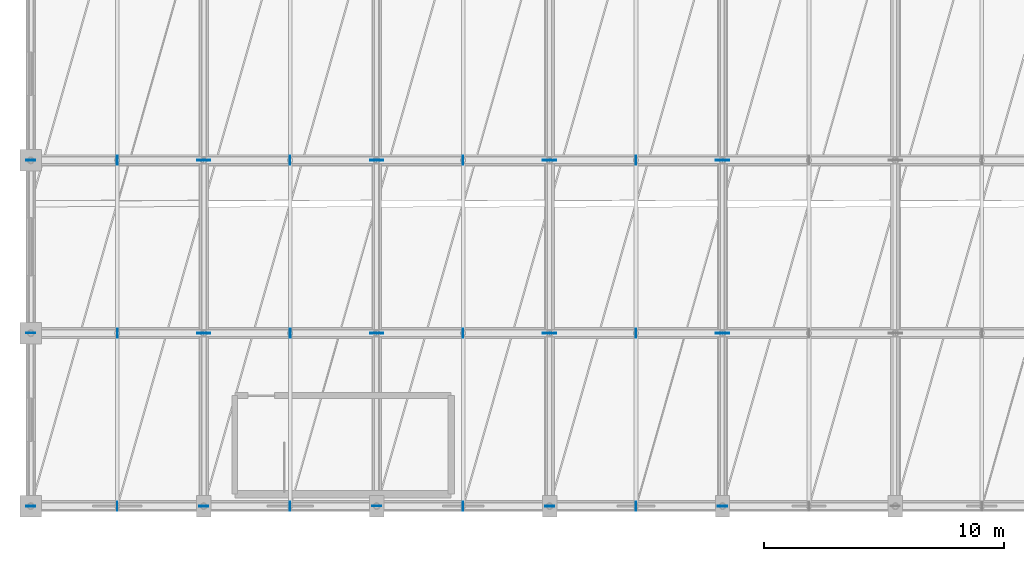
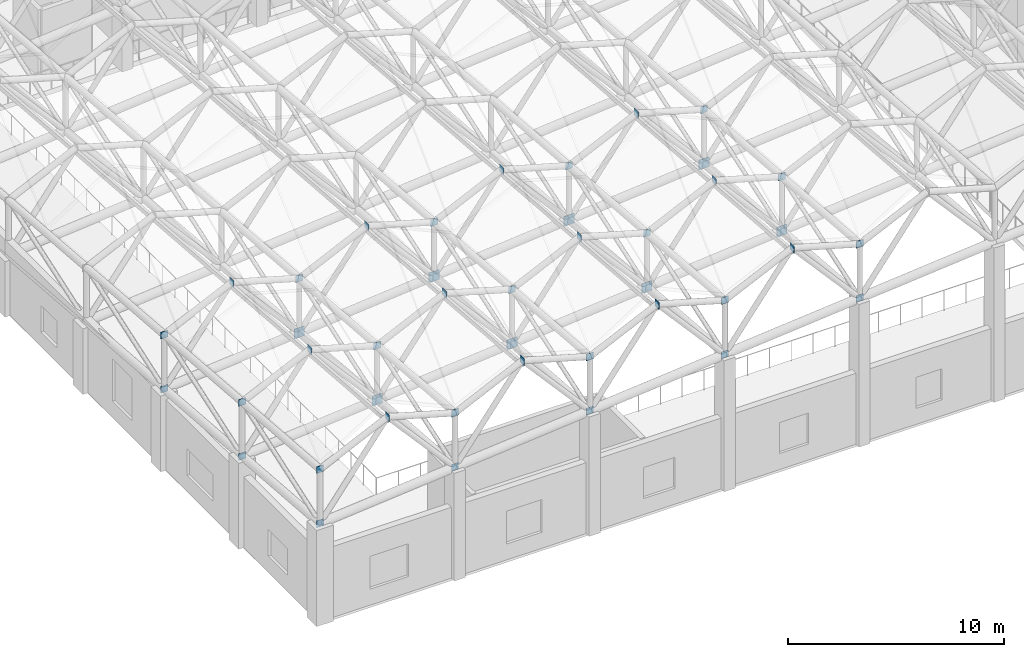
# One storey, part 78 of 113: 42 plates.
"""IFC4 building model written with IfcOpenShell, lengths in metres."""

from ifc_helpers import new_model, si_unit, direction, frame, origin, origin_2d, place, context, subcontext, project, spatial, rectangle, extrude, material, layer, layer_set, type_object, element, save


model = new_model("IFC4")

# Units and contexts
model_context = context("Model", 3, precision=1e-05, world=origin(), true_north=direction((0.0, 1.0)))
body_context = subcontext(model_context, "Body", "Model", "MODEL_VIEW")
ifc_project = project(units=[si_unit("LENGTHUNIT", "METRE"), si_unit("AREAUNIT", "SQUARE_METRE"), si_unit("VOLUMEUNIT", "CUBIC_METRE"), si_unit("PLANEANGLEUNIT", "RADIAN"), si_unit("MASSUNIT", "GRAM", prefix="KILO")], contexts=[model_context])

# Site, building, storey
site_placement = place(None, origin())
site = spatial("IfcSite", under=ifc_project, at=site_placement, CompositionType="ELEMENT")
building_placement = place(site_placement, origin())
building = spatial("IfcBuilding", under=site, at=building_placement, Name="Carrowvane Square Congress Hotel", CompositionType="ELEMENT")
storey_placement = place(building_placement, frame((0.0, 0.0, 15.0)))
storey = spatial("IfcBuildingStorey", under=building, at=storey_placement, Name="L03", CompositionType="ELEMENT", Elevation=15.0)

# Plates
ifc_material_1 = material(Name="Steel S355", Category="steel")
ifc_layer_1 = layer(ifc_material_1, 0.02001953125)
ifc_layer_set_1 = layer_set([ifc_layer_1], Name="Steel S355")
plate_type_1 = type_object("IfcPlateType", Name="PLT-GUS-20", PredefinedType="SHEET", material=ifc_layer_set_1)
for number, where, z_axis, x_axis, name in (
    (1, (11.60009765625, 12.60009765625, 4.65869140625), (0.0, 0.0, 1.0), (1.0, 0.0, 0.0), "L03 brace connection end plate 3"),
    (2, (18.800048828125, 5.39990234375, 5.88720703125), (0.0, 0.0, 1.0), (1.0, 0.0, 0.0), "L03 brace connection end plate 15"),
    (3, (26.0, 12.60009765625, 9.02294921875), (0.0, 0.0, 1.0), (1.0, 0.0, 0.0), "L03 brace connection end plate 24"),
    (4, (33.199951171875, 19.800048828125, 9.108642578125), (0.0, 0.0, 1.0), (1.0, 0.0, 0.0), "L03 brace connection end plate 33"),
    (5, (40.39990234375, 5.39990234375, 7.858642578125), (0.0, 0.0, 1.0), (1.0, 0.0, 0.0), "L03 brace connection end plate 39"),
):
    element("IfcPlate", number, at=place(storey_placement, frame(where, z_axis=z_axis, x_axis=x_axis)), inside=storey, type_object=plate_type_1, Name=name, PredefinedType="SHEET", context=body_context, shape_type="SweptSolid", body=[
        extrude(rectangle(XDim=0.3798828125, YDim=0.02001953125, at=origin_2d()), origin(), (0.0, 0.0, 1.0), 0.3798828125),
    ])
for number, where, z_axis, x_axis, name in (
    (6, (22.39990234375, 5.39990234375, 10.625732421875), (0.0, 0.0, 1.0), (1.0, 0.0, 0.0), "L03 brace connection end plate 78"),
    (7, (15.199951171875, 12.60009765625, 9.397216796875), (0.0, 0.0, 1.0), (1.0, 0.0, 0.0), "L03 brace connection end plate 84"),
    (8, (36.800048828125, 12.60009765625, 11.36865234375), (0.0, 0.0, 1.0), (1.0, 0.0, 0.0), "L03 brace connection end plate 87"),
    (9, (29.60009765625, 19.800048828125, 10.14013671875), (0.0, 0.0, 1.0), (1.0, 0.0, 0.0), "L03 brace connection end plate 93"),
):
    element("IfcPlate", number, at=place(storey_placement, frame(where, z_axis=z_axis, x_axis=x_axis)), inside=storey, type_object=plate_type_1, Name=name, PredefinedType="SHEET", context=body_context, shape_type="SweptSolid", body=[
        extrude(rectangle(XDim=0.02001953125, YDim=0.3798828125, at=origin_2d()), origin(), (0.0, 0.0, 1.0), 0.3798828125),
    ])
for number, where, z_axis, x_axis, name in (
    (10, (11.60009765625, 5.39990234375, 8.280029296875), (0.0, 0.0, 1.0), (1.0, 0.0, 0.0), "L03 brace connection end plate 141"),
    (11, (33.199951171875, 5.39990234375, 10.25146484375), (0.0, 0.0, 1.0), (1.0, 0.0, 0.0), "L03 brace connection end plate 144"),
):
    element("IfcPlate", number, at=place(storey_placement, frame(where, z_axis=z_axis, x_axis=x_axis)), inside=storey, type_object=plate_type_1, Name=name, PredefinedType="SHEET", context=body_context, shape_type="SweptSolid", body=[
        extrude(rectangle(XDim=0.3798828125, YDim=0.02001953125, at=origin_2d()), origin(), (0.0, 0.0, 1.0), 0.3798828125),
    ])
ifc_material_2 = material(Name="Steel S355", Category="steel")
ifc_layer_2 = layer(ifc_material_2, 0.030029296875)
ifc_layer_set_2 = layer_set([ifc_layer_2], Name="Steel S355")
plate_type_2 = type_object("IfcPlateType", Name="PLT-GUS-30", PredefinedType="USERDEFINED", material=ifc_layer_set_2)
for number, where, z_axis, x_axis, name in (
    (12, (18.800048828125, 12.60009765625, 5.23046875), (0.0, 0.0, 1.0), (1.0, 0.0, 0.0), "Space-frame truss node gusset SN-01"),
    (13, (26.0, 12.60009765625, 5.8876953125), (0.0, 0.0, 1.0), (1.0, 0.0, 0.0), "Space-frame truss node gusset SN-07"),
    (14, (33.199951171875, 12.60009765625, 6.544921875), (0.0, 0.0, 1.0), (1.0, 0.0, 0.0), "Space-frame truss node gusset SN-13"),
    (15, (40.39990234375, 12.60009765625, 7.2021484375), (0.0, 0.0, 1.0), (1.0, 0.0, 0.0), "Space-frame truss node gusset SN-19"),
):
    element("IfcPlate", number, at=place(storey_placement, frame(where, z_axis=z_axis, x_axis=x_axis)), inside=storey, type_object=plate_type_2, Name=name, ObjectType="GUSSET PLATE", PredefinedType="USERDEFINED", context=body_context, shape_type="SweptSolid", body=[
        extrude(rectangle(XDim=0.550048828125, YDim=0.030029296875, at=origin_2d()), origin(), (0.0, 0.0, 1.0), 0.550048828125),
    ])
for number, where, z_axis, x_axis, name in (
    (16, (11.60009765625, 5.39990234375, 5.22998046875), (0.0, 0.0, 1.0), (1.0, 0.0, 0.0), "L03 brace connection end plate 1"),
    (17, (11.60009765625, 19.800048828125, 7.13720703125), (0.0, 0.0, 1.0), (1.0, 0.0, 0.0), "L03 brace connection end plate 4"),
    (18, (18.800048828125, 12.60009765625, 8.36572265625), (0.0, 0.0, 1.0), (1.0, 0.0, 0.0), "L03 brace connection end plate 16"),
    (19, (26.0, 19.800048828125, 8.451416015625), (0.0, 0.0, 1.0), (1.0, 0.0, 0.0), "L03 brace connection end plate 25"),
    (20, (33.199951171875, 5.39990234375, 7.201416015625), (0.0, 0.0, 1.0), (1.0, 0.0, 0.0), "L03 brace connection end plate 31"),
    (21, (40.39990234375, 12.60009765625, 10.337158203125), (0.0, 0.0, 1.0), (1.0, 0.0, 0.0), "L03 brace connection end plate 40"),
):
    element("IfcPlate", number, at=place(storey_placement, frame(where, z_axis=z_axis, x_axis=x_axis)), inside=storey, type_object=plate_type_2, Name=name, ObjectType="GUSSET PLATE", PredefinedType="USERDEFINED", context=body_context, shape_type="SweptSolid", body=[
        extrude(rectangle(XDim=0.3798828125, YDim=0.030029296875, at=origin_2d()), origin(), (0.0, 0.0, 1.0), 0.3798828125),
    ])
for number, where, z_axis, x_axis, name in (
    (22, (29.60009765625, 5.39990234375, 11.282958984375), (0.0, 0.0, 1.0), (1.0, 0.0, 0.0), "L03 brace connection end plate 79"),
    (23, (22.39990234375, 12.60009765625, 10.054443359375), (0.0, 0.0, 1.0), (1.0, 0.0, 0.0), "L03 brace connection end plate 85"),
    (24, (15.199951171875, 19.800048828125, 8.82568359375), (0.0, 0.0, 1.0), (1.0, 0.0, 0.0), "L03 brace connection end plate 91"),
    (25, (36.800048828125, 19.800048828125, 10.797119140625), (0.0, 0.0, 1.0), (1.0, 0.0, 0.0), "L03 brace connection end plate 94"),
):
    element("IfcPlate", number, at=place(storey_placement, frame(where, z_axis=z_axis, x_axis=x_axis)), inside=storey, type_object=plate_type_2, Name=name, ObjectType="GUSSET PLATE", PredefinedType="USERDEFINED", context=body_context, shape_type="SweptSolid", body=[
        extrude(rectangle(XDim=0.030029296875, YDim=0.3798828125, at=origin_2d()), origin(), (0.0, 0.0, 1.0), 0.3798828125),
    ])
for number, where, z_axis, x_axis, name in (
    (26, (18.800048828125, 5.39990234375, 8.937255859375), (0.0, 0.0, 1.0), (1.0, 0.0, 0.0), "L03 brace connection end plate 142"),
    (27, (40.39990234375, 5.39990234375, 10.90869140625), (0.0, 0.0, 1.0), (1.0, 0.0, 0.0), "L03 brace connection end plate 145"),
):
    element("IfcPlate", number, at=place(storey_placement, frame(where, z_axis=z_axis, x_axis=x_axis)), inside=storey, type_object=plate_type_2, Name=name, ObjectType="GUSSET PLATE", PredefinedType="USERDEFINED", context=body_context, shape_type="SweptSolid", body=[
        extrude(rectangle(XDim=0.3798828125, YDim=0.030029296875, at=origin_2d()), origin(), (0.0, 0.0, 1.0), 0.3798828125),
    ])
ifc_material_3 = material(Name="Steel S355", Category="steel")
ifc_layer_3 = layer(ifc_material_3, 0.0400390625)
ifc_layer_set_3 = layer_set([ifc_layer_3], Name="Steel S355")
plate_type_3 = type_object("IfcPlateType", Name="PLT-GUS-40", PredefinedType="USERDEFINED", material=ifc_layer_set_3)
for number, where, z_axis, x_axis, name in (
    (28, (18.800048828125, 19.800048828125, 4.6591796875), (0.0, 0.0, 1.0), (1.0, 0.0, 0.0), "Space-frame truss node gusset SN-02"),
    (29, (26.0, 19.800048828125, 5.31640625), (0.0, 0.0, 1.0), (1.0, 0.0, 0.0), "Space-frame truss node gusset SN-08"),
    (30, (33.199951171875, 19.800048828125, 5.9736328125), (0.0, 0.0, 1.0), (1.0, 0.0, 0.0), "Space-frame truss node gusset SN-14"),
    (31, (40.39990234375, 19.800048828125, 6.630859375), (0.0, 0.0, 1.0), (1.0, 0.0, 0.0), "Space-frame truss node gusset SN-20"),
):
    element("IfcPlate", number, at=place(storey_placement, frame(where, z_axis=z_axis, x_axis=x_axis)), inside=storey, type_object=plate_type_3, Name=name, ObjectType="GUSSET PLATE", PredefinedType="USERDEFINED", context=body_context, shape_type="SweptSolid", body=[
        extrude(rectangle(XDim=0.550048828125, YDim=0.0400390625, at=origin_2d()), origin(), (0.0, 0.0, 1.0), 0.550048828125),
    ])
ifc_material_4 = material(Name="Steel S355", Category="steel")
ifc_layer_4 = layer(ifc_material_4, 0.01611328125)
ifc_layer_set_4 = layer_set([ifc_layer_4], Name="Steel S355")
plate_type_4 = type_object("IfcPlateType", Name="PLT-STF-16", PredefinedType="USERDEFINED", material=ifc_layer_set_4)
for number, where, z_axis, x_axis, name in (
    (32, (11.60009765625, 12.60009765625, 7.708740234375), (0.0, 0.0, 1.0), (1.0, 0.0, 0.0), "L03 brace connection end plate 2"),
    (33, (11.60009765625, 19.800048828125, 4.087158203125), (0.0, 0.0, 1.0), (1.0, 0.0, 0.0), "L03 brace connection end plate 5"),
    (34, (18.800048828125, 19.800048828125, 7.79443359375), (0.0, 0.0, 1.0), (1.0, 0.0, 0.0), "L03 brace connection end plate 17"),
    (35, (26.0, 5.39990234375, 6.54443359375), (0.0, 0.0, 1.0), (1.0, 0.0, 0.0), "L03 brace connection end plate 23"),
    (36, (33.199951171875, 12.60009765625, 9.68017578125), (0.0, 0.0, 1.0), (1.0, 0.0, 0.0), "L03 brace connection end plate 32"),
    (37, (40.39990234375, 19.800048828125, 9.765869140625), (0.0, 0.0, 1.0), (1.0, 0.0, 0.0), "L03 brace connection end plate 41"),
):
    element("IfcPlate", number, at=place(storey_placement, frame(where, z_axis=z_axis, x_axis=x_axis)), inside=storey, type_object=plate_type_4, Name=name, ObjectType="STIFFENER PLATE", PredefinedType="USERDEFINED", context=body_context, shape_type="SweptSolid", body=[
        extrude(rectangle(XDim=0.3798828125, YDim=0.01611328125, at=origin_2d()), origin(), (0.0, 0.0, 1.0), 0.3798828125),
    ])
for number, where, z_axis, x_axis, name in (
    (38, (15.199951171875, 5.39990234375, 9.96875), (0.0, 0.0, 1.0), (1.0, 0.0, 0.0), "L03 brace connection end plate 77"),
    (39, (36.800048828125, 5.39990234375, 11.93994140625), (0.0, 0.0, 1.0), (1.0, 0.0, 0.0), "L03 brace connection end plate 80"),
    (40, (29.60009765625, 12.60009765625, 10.71142578125), (0.0, 0.0, 1.0), (1.0, 0.0, 0.0), "L03 brace connection end plate 86"),
    (41, (22.39990234375, 19.800048828125, 9.48291015625), (0.0, 0.0, 1.0), (1.0, 0.0, 0.0), "L03 brace connection end plate 92"),
):
    element("IfcPlate", number, at=place(storey_placement, frame(where, z_axis=z_axis, x_axis=x_axis)), inside=storey, type_object=plate_type_4, Name=name, ObjectType="STIFFENER PLATE", PredefinedType="USERDEFINED", context=body_context, shape_type="SweptSolid", body=[
        extrude(rectangle(XDim=0.01611328125, YDim=0.3798828125, at=origin_2d()), origin(), (0.0, 0.0, 1.0), 0.3798828125),
    ])
plate_placement = place(storey_placement, frame((26.0, 5.39990234375, 9.59423828125), z_axis=(0.0, 0.0, 1.0), x_axis=(1.0, 0.0, 0.0)))
element("IfcPlate", 42, at=plate_placement, inside=storey, type_object=plate_type_4, Name="L03 brace connection end plate 143", ObjectType="STIFFENER PLATE", PredefinedType="USERDEFINED", context=body_context, shape_type="SweptSolid", body=[
    extrude(rectangle(XDim=0.3798828125, YDim=0.01611328125, at=origin_2d()), origin(), (0.0, 0.0, 1.0), 0.3798828125),
])

save(model, "model.ifc")
